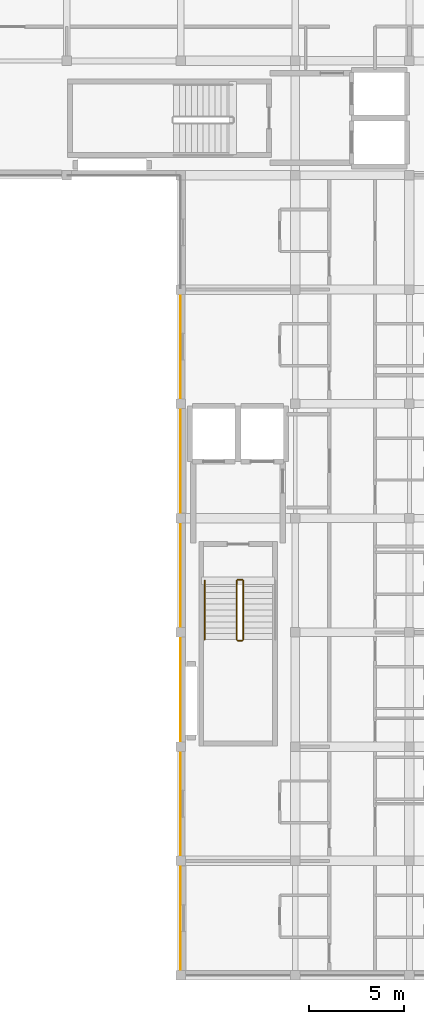
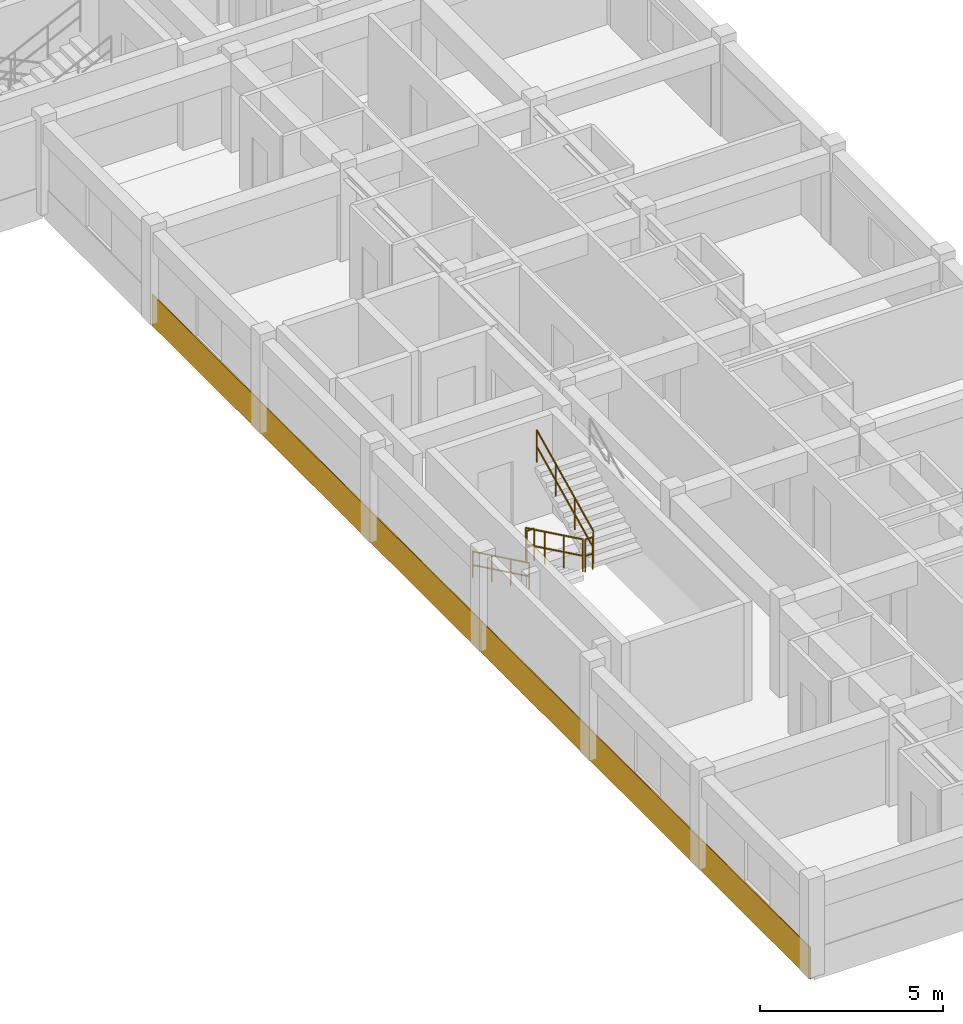
# One storey, part 11 of 14: 5 railings, 2 coverings.
"""IFC4 building model written with IfcOpenShell, lengths in metres."""

from ifc_helpers import new_model, si_unit, direction, frame, origin, origin_2d, place, context, subcontext, project, spatial, polyline, circle, outline, extrude, material, layer, layer_set, type_object, element, save


model = new_model("IFC4")

# Units and contexts
model_context = context("Model", 3, precision=1e-05, world=origin(), true_north=direction((0.0, 1.0)))
body_context = subcontext(model_context, "Body", "Model", "MODEL_VIEW")
ifc_project = project(units=[si_unit("LENGTHUNIT", "METRE"), si_unit("AREAUNIT", "SQUARE_METRE"), si_unit("VOLUMEUNIT", "CUBIC_METRE"), si_unit("PLANEANGLEUNIT", "RADIAN"), si_unit("MASSUNIT", "GRAM", prefix="KILO"), si_unit("THERMODYNAMICTEMPERATUREUNIT", "KELVIN"), si_unit("POWERUNIT", "WATT")], contexts=[model_context])

# Site, building, storey
site_placement = place(None, origin())
site = spatial("IfcSite", under=ifc_project, at=site_placement, CompositionType="ELEMENT")
building_placement = place(site_placement, origin())
building = spatial("IfcBuilding", under=site, at=building_placement, Name="Phaisarnlok Congress Hotel", CompositionType="ELEMENT")
storey_placement = place(building_placement, frame((0.0, 0.0, 48.0)))
storey = spatial("IfcBuildingStorey", under=building, at=storey_placement, Name="L12", CompositionType="ELEMENT", Elevation=48.0)

# Coverings
ifc_material_1 = material(Name="Anodised Silver Aluminium Alloy 6063-T6", Category="aluminium")
ifc_layer = layer(ifc_material_1, 0.031982421875, Name="Anodised Silver Aluminium Alloy 6063-T6")
ifc_layer_set = layer_set([ifc_layer], Name="Anodised Silver Aluminium Alloy 6063-T6")
covering_type = type_object("IfcCoveringType", Name="COV-SPAND-ALU", PredefinedType="CLADDING", material=ifc_layer_set)
for number, where, z_axis, x_axis, name in (
    (1, (162.0048828125, 84.06005859375, -0.280029296875), (-1.0, 0.0, 0.0), (0.0, -1.0, 0.0), "Swiss minimalist anodised silver rainscreen band CL-02 (L12 W)"),
    (2, (162.0048828125, 102.06005859375, -0.280029296875), (-1.0, 0.0, 0.0), (0.0, -1.0, 0.0), "Swiss minimalist anodised silver rainscreen band CL-02 (L12 W)"),
):
    element("IfcCovering", number, at=place(storey_placement, frame(where, z_axis=z_axis, x_axis=x_axis)), inside=storey, type_object=covering_type, Name=name, PredefinedType="CLADDING", context=body_context, shape_type="SweptSolid", body=[
        extrude(outline(polyline([(0.0, 0.0), (18.0, 0.0), (18.0, 1.050048828125), (0.0, 1.050048828125), (0.0, 0.0)])), origin(), (0.0, 0.0, 1.0), 0.031982421875),
    ])

# Railings
ifc_material_2 = material(Name="Painted Galvanised Steel S275", Category="steel")
railing_type_1 = type_object("IfcRailingType", Name="RLG-STR-GUARD", PredefinedType="BALUSTRADE", material=ifc_material_2)
railing_1_placement = place(storey_placement, frame((164.929931640625, 86.719970703125, 0.14990234375)))
element("IfcRailing", 3, at=railing_1_placement, inside=storey, type_object=railing_type_1, Name="L12 ST-09 stair guard 1", PredefinedType="BALUSTRADE", context=body_context, shape_type="SweptSolid", body=[
    extrude(circle(Radius=0.02392578125, at=origin_2d()), frame((0.0, 0.0, 1.076171875), z_axis=(0.0, -0.900151181449, 0.435577605641), x_axis=(1.0, 0.0, 0.0)), (0.0, 0.0, 1.0), 3.443603515625),
    extrude(circle(Radius=0.02392578125, at=origin_2d()), frame((0.0, 0.0, 0.52587890625), z_axis=(0.0, -0.900151181449, 0.435577605641), x_axis=(1.0, 0.0, 0.0)), (0.0, 0.0, 1.0), 3.443603515625),
    extrude(circle(Radius=0.02099609375, at=origin_2d()), origin(), (0.0, 0.0, 1.0), 1.052001953125),
    extrude(circle(Radius=0.02099609375, at=origin_2d()), frame((0.0, -1.033203125, 0.5)), (0.0, 0.0, 1.0), 1.052001953125),
    extrude(circle(Radius=0.02099609375, at=origin_2d()), frame((0.0, -2.066650390625, 1.0)), (0.0, 0.0, 1.0), 1.052001953125),
    extrude(circle(Radius=0.02099609375, at=origin_2d()), frame((0.0, -3.099853515625, 1.5)), (0.0, 0.0, 1.0), 1.052001953125),
])
railing_2_placement = place(storey_placement, frame((164.97998046875, 83.570068359375, 1.64990234375)))
element("IfcRailing", 4, at=railing_2_placement, inside=storey, type_object=railing_type_1, Name="L12 ST-09 stair guard 2", PredefinedType="BALUSTRADE", context=body_context, shape_type="SweptSolid", body=[
    extrude(circle(Radius=0.02392578125, at=origin_2d()), frame((0.0, 0.0, 1.076171875), z_axis=(1.0, 0.0, 0.0), x_axis=(0.0, 1.0, 0.0)), (0.0, 0.0, 1.0), 0.239990234375),
    extrude(circle(Radius=0.02392578125, at=origin_2d()), frame((0.0, 0.0, 0.52587890625), z_axis=(1.0, 0.0, 0.0), x_axis=(0.0, 1.0, 0.0)), (0.0, 0.0, 1.0), 0.239990234375),
    extrude(circle(Radius=0.02099609375, at=origin_2d()), origin(), (0.0, 0.0, 1.0), 1.052001953125),
    extrude(circle(Radius=0.02099609375, at=origin_2d()), frame((0.239990234375, 0.0, 0.0)), (0.0, 0.0, 1.0), 1.052001953125),
])
railing_3_placement = place(storey_placement, frame((165.27001953125, 83.6201171875, 1.800048828125)))
element("IfcRailing", 5, at=railing_3_placement, inside=storey, type_object=railing_type_1, Name="L12 ST-09 stair guard 3", PredefinedType="BALUSTRADE", context=body_context, shape_type="SweptSolid", body=[
    extrude(circle(Radius=0.02392578125, at=origin_2d()), frame((0.0, 0.0, 1.076171875), z_axis=(0.0, 0.900151181449, 0.435577605641), x_axis=(-1.0, 0.0, 0.0)), (0.0, 0.0, 1.0), 3.443603515625),
    extrude(circle(Radius=0.02392578125, at=origin_2d()), frame((0.0, 0.0, 0.52587890625), z_axis=(0.0, 0.900151181449, 0.435577605641), x_axis=(-1.0, 0.0, 0.0)), (0.0, 0.0, 1.0), 3.443603515625),
    extrude(circle(Radius=0.02099609375, at=origin_2d()), origin(), (0.0, 0.0, 1.0), 1.052001953125),
    extrude(circle(Radius=0.02099609375, at=origin_2d()), frame((0.0, 1.033203125, 0.5)), (0.0, 0.0, 1.0), 1.052001953125),
    extrude(circle(Radius=0.02099609375, at=origin_2d()), frame((0.0, 2.066650390625, 1.0)), (0.0, 0.0, 1.0), 1.052001953125),
    extrude(circle(Radius=0.02099609375, at=origin_2d()), frame((0.0, 3.099853515625, 1.5)), (0.0, 0.0, 1.0), 1.052001953125),
])
railing_4_placement = place(storey_placement, frame((164.97998046875, 86.77001953125, 0.0)))
element("IfcRailing", 6, at=railing_4_placement, inside=storey, type_object=railing_type_1, Name="L12 ST-09 stair guard 4", PredefinedType="BALUSTRADE", context=body_context, shape_type="SweptSolid", body=[
    extrude(circle(Radius=0.02392578125, at=origin_2d()), frame((0.0, 0.0, 1.076171875), z_axis=(1.0, 0.0, 0.0), x_axis=(0.0, 1.0, 0.0)), (0.0, 0.0, 1.0), 0.239990234375),
    extrude(circle(Radius=0.02392578125, at=origin_2d()), frame((0.0, 0.0, 0.52587890625), z_axis=(1.0, 0.0, 0.0), x_axis=(0.0, 1.0, 0.0)), (0.0, 0.0, 1.0), 0.239990234375),
    extrude(circle(Radius=0.02099609375, at=origin_2d()), origin(), (0.0, 0.0, 1.0), 1.052001953125),
    extrude(circle(Radius=0.02099609375, at=origin_2d()), frame((0.239990234375, 0.0, 0.0)), (0.0, 0.0, 1.0), 1.052001953125),
])
ifc_material_3 = material(Name="Brushed Stainless Steel Grade 304", Category="steel")
railing_type_2 = type_object("IfcRailingType", Name="RLG-STR-HRAIL", PredefinedType="HANDRAIL", material=ifc_material_3)
railing_5_placement = place(storey_placement, frame((163.25, 86.719970703125, 0.14990234375)))
element("IfcRailing", 7, at=railing_5_placement, inside=storey, type_object=railing_type_2, Name="L12 ST-09 stair handrail 1", PredefinedType="HANDRAIL", context=body_context, shape_type="SweptSolid", body=[
    extrude(circle(Radius=0.02392578125, at=origin_2d()), frame((0.0, 0.0, 0.8759765625), z_axis=(0.0, -0.900151181449, 0.435577605641), x_axis=(1.0, 0.0, 0.0)), (0.0, 0.0, 1.0), 3.443603515625),
    extrude(circle(Radius=0.02392578125, at=origin_2d()), frame((0.0, 0.0, 0.42578125), z_axis=(0.0, -0.900151181449, 0.435577605641), x_axis=(1.0, 0.0, 0.0)), (0.0, 0.0, 1.0), 3.443603515625),
    extrude(circle(Radius=0.02099609375, at=origin_2d()), origin(), (0.0, 0.0, 1.0), 0.851806640625),
    extrude(circle(Radius=0.02099609375, at=origin_2d()), frame((0.0, -1.033203125, 0.5)), (0.0, 0.0, 1.0), 0.851806640625),
    extrude(circle(Radius=0.02099609375, at=origin_2d()), frame((0.0, -2.066650390625, 1.0)), (0.0, 0.0, 1.0), 0.851806640625),
    extrude(circle(Radius=0.02099609375, at=origin_2d()), frame((0.0, -3.099853515625, 1.5)), (0.0, 0.0, 1.0), 0.851806640625),
])

save(model, "model.ifc")
